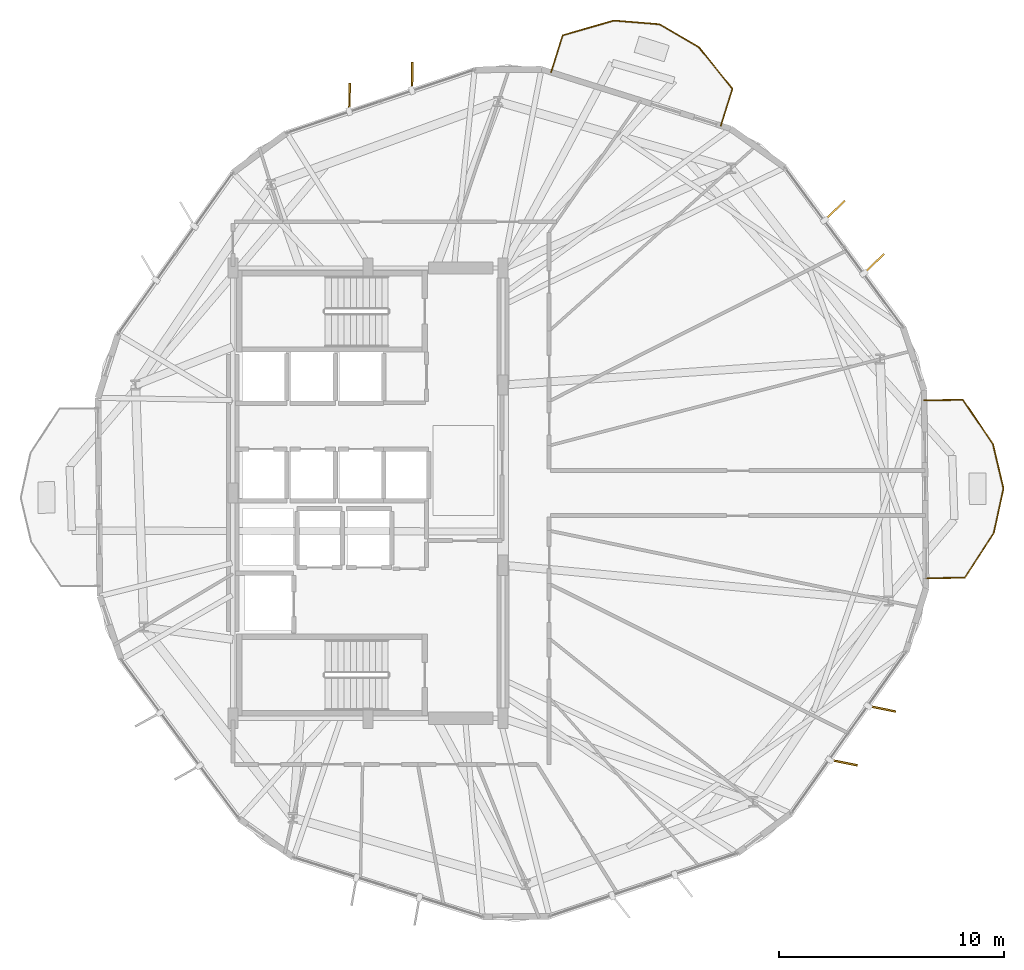
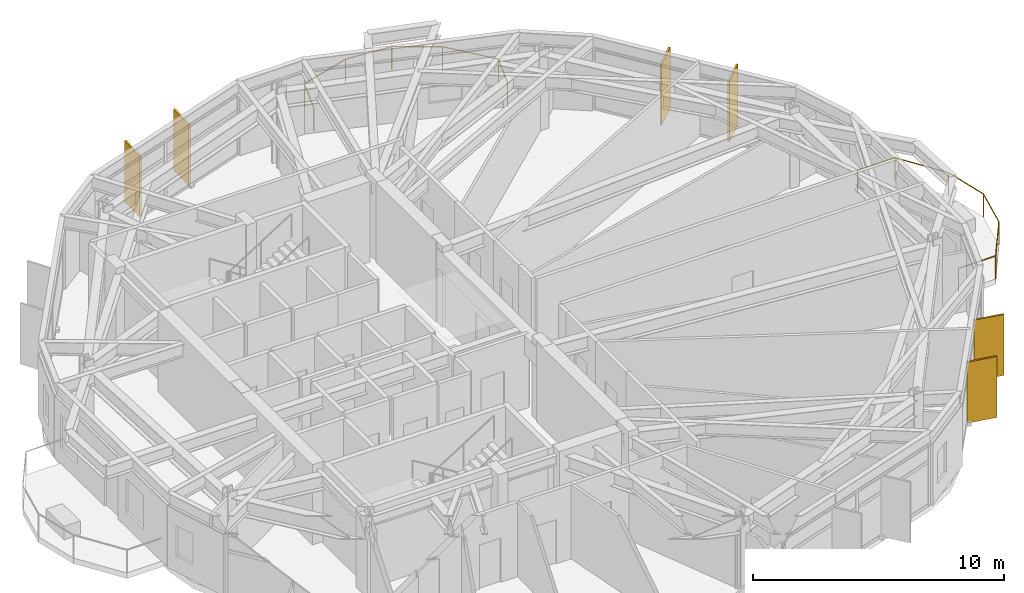
# One storey, part 27 of 27: 6 shading devices, 2 railings.
"""IFC4 building model written with IfcOpenShell, lengths in metres."""

from ifc_helpers import new_model, si_unit, direction, frame, origin, origin_2d, place, context, subcontext, project, spatial, rectangle, circle, extrude, material, layer, layer_set, type_object, element, save


model = new_model("IFC4")

# Units and contexts
model_context = context("Model", 3, precision=1e-05, world=origin(), true_north=direction((0.0, 1.0)))
body_context = subcontext(model_context, "Body", "Model", "MODEL_VIEW")
ifc_project = project(units=[si_unit("LENGTHUNIT", "METRE"), si_unit("AREAUNIT", "SQUARE_METRE"), si_unit("VOLUMEUNIT", "CUBIC_METRE"), si_unit("PLANEANGLEUNIT", "RADIAN"), si_unit("MASSUNIT", "GRAM", prefix="KILO")], contexts=[model_context])

# Site, building, storey
site_placement = place(None, origin())
site = spatial("IfcSite", under=ifc_project, at=site_placement, CompositionType="ELEMENT")
building_placement = place(site_placement, origin())
building = spatial("IfcBuilding", under=site, at=building_placement, Name="Soratama Intermodal Tower", CompositionType="ELEMENT")
storey_placement = place(building_placement, frame((0.0, 0.0, 103.0)))
storey = spatial("IfcBuildingStorey", under=building, at=storey_placement, Name="L24", CompositionType="ELEMENT", Elevation=103.0)

# Railings
ifc_material_1 = material(Name="Laminated glass and stainless steel balustrade", Category="steel")
railing_type = type_object("IfcRailingType", Name="RL-BAL-1150", PredefinedType="BALUSTRADE", material=ifc_material_1)
railing_1_placement = place(storey_placement, frame((63.313720703125, 29.1259765625, 0.0)))
element("IfcRailing", 1, at=railing_1_placement, inside=storey, type_object=railing_type, Name="L24 Balcony Balustrade 1", PredefinedType="BALUSTRADE", context=body_context, shape_type="SweptSolid", body=[
    extrude(circle(Radius=0.02392578125, at=origin_2d()), frame((0.0, 0.0, 1.1259765625), z_axis=(0.999956119932, 0.009367935261, 0.0), x_axis=(-0.009367935261, 0.999956119932, 0.0)), (0.0, 0.0, 1.0), 1.719970703125),
    extrude(circle(Radius=0.02392578125, at=origin_2d()), frame((1.719970703125, 0.01611328125, 1.1259765625), z_axis=(0.560577271613, -0.828102120846, 0.0), x_axis=(0.828102120846, 0.560577271613, 0.0)), (0.0, 0.0, 1.0), 2.371826171875),
    extrude(circle(Radius=0.02392578125, at=origin_2d()), frame((3.049560546875, -1.947998046875, 1.1259765625), z_axis=(0.230670480174, -0.973031926288, 0.0), x_axis=(0.973031926288, 0.230670480174, 0.0)), (0.0, 0.0, 1.0), 2.02685546875),
    extrude(circle(Radius=0.02392578125, at=origin_2d()), frame((3.51708984375, -3.920166015625, 1.1259765625), z_axis=(-0.21234963491, -0.977193753845, 0.0), x_axis=(0.977193753845, -0.21234963491, 0.0)), (0.0, 0.0, 1.0), 2.02685546875),
    extrude(circle(Radius=0.02392578125, at=origin_2d()), frame((3.086669921875, -5.90087890625, 1.1259765625), z_axis=(-0.544731440052, -0.838610552174, 0.0), x_axis=(0.838610552174, -0.544731440052, 0.0)), (0.0, 0.0, 1.0), 2.371826171875),
    extrude(circle(Radius=0.02392578125, at=origin_2d()), frame((1.794677734375, -7.889892578125, 1.1259765625), z_axis=(-0.999956119932, -0.009367935261, 0.0), x_axis=(0.009367935261, -0.999956119932, 0.0)), (0.0, 0.0, 1.0), 1.719970703125),
    extrude(circle(Radius=0.02099609375, at=origin_2d()), origin(), (0.0, 0.0, 1.0), 1.101806640625),
    extrude(circle(Radius=0.02099609375, at=origin_2d()), frame((1.719970703125, 0.01611328125, 0.0)), (0.0, 0.0, 1.0), 1.101806640625),
    extrude(circle(Radius=0.02099609375, at=origin_2d()), frame((3.049560546875, -1.947998046875, 0.0)), (0.0, 0.0, 1.0), 1.101806640625),
    extrude(circle(Radius=0.02099609375, at=origin_2d()), frame((3.51708984375, -3.920166015625, 0.0)), (0.0, 0.0, 1.0), 1.101806640625),
    extrude(circle(Radius=0.02099609375, at=origin_2d()), frame((3.086669921875, -5.90087890625, 0.0)), (0.0, 0.0, 1.0), 1.101806640625),
    extrude(circle(Radius=0.02099609375, at=origin_2d()), frame((1.794677734375, -7.889892578125, 0.0)), (0.0, 0.0, 1.0), 1.101806640625),
    extrude(circle(Radius=0.02099609375, at=origin_2d()), frame((0.07470703125, -7.906005859375, 0.0)), (0.0, 0.0, 1.0), 1.101806640625),
])
railing_2_placement = place(storey_placement, frame((46.735107421875, 43.6923828125, 0.0)))
element("IfcRailing", 2, at=railing_2_placement, inside=storey, type_object=railing_type, Name="L24 Balcony Balustrade 2", PredefinedType="BALUSTRADE", context=body_context, shape_type="SweptSolid", body=[
    extrude(circle(Radius=0.02392578125, at=origin_2d()), frame((0.0, 0.0, 1.1259765625), z_axis=(0.300044337569, 0.953925256764, 0.0), x_axis=(-0.953925256764, 0.300044337569, 0.0)), (0.0, 0.0, 1.0), 1.72021484375),
    extrude(circle(Radius=0.02392578125, at=origin_2d()), frame((0.51611328125, 1.640869140625, 1.1259765625), z_axis=(0.960809883874, 0.277208165553, 0.0), x_axis=(-0.277208165553, 0.960809883874, 0.0)), (0.0, 0.0, 1.0), 2.371826171875),
    extrude(circle(Radius=0.02392578125, at=origin_2d()), frame((2.794921875, 2.29833984375, 1.1259765625), z_axis=(0.996689597233, -0.081300964125, 0.0), x_axis=(0.081300964125, 0.996689597233, 0.0)), (0.0, 0.0, 1.0), 2.02685546875),
    extrude(circle(Radius=0.02392578125, at=origin_2d()), frame((4.815185546875, 2.133544921875, 1.1259765625), z_axis=(0.863813845877, -0.503811115073, 0.0), x_axis=(0.503811115073, 0.863813845877, 0.0)), (0.0, 0.0, 1.0), 2.027099609375),
    extrude(circle(Radius=0.02392578125, at=origin_2d()), frame((6.566162109375, 1.1123046875, 1.1259765625), z_axis=(0.629103472699, -0.777321568361, 0.0), x_axis=(0.777321568361, 0.629103472699, 0.0)), (0.0, 0.0, 1.0), 2.371826171875),
    extrude(circle(Radius=0.02392578125, at=origin_2d()), frame((8.058349609375, -0.7314453125, 1.1259765625), z_axis=(-0.300084966568, -0.953912476509, 0.0), x_axis=(0.953912476509, -0.300084966568, 0.0)), (0.0, 0.0, 1.0), 1.719970703125),
    extrude(circle(Radius=0.02099609375, at=origin_2d()), origin(), (0.0, 0.0, 1.0), 1.101806640625),
    extrude(circle(Radius=0.02099609375, at=origin_2d()), frame((0.51611328125, 1.640869140625, 0.0)), (0.0, 0.0, 1.0), 1.101806640625),
    extrude(circle(Radius=0.02099609375, at=origin_2d()), frame((2.794921875, 2.29833984375, 0.0)), (0.0, 0.0, 1.0), 1.101806640625),
    extrude(circle(Radius=0.02099609375, at=origin_2d()), frame((4.815185546875, 2.133544921875, 0.0)), (0.0, 0.0, 1.0), 1.101806640625),
    extrude(circle(Radius=0.02099609375, at=origin_2d()), frame((6.566162109375, 1.1123046875, 0.0)), (0.0, 0.0, 1.0), 1.101806640625),
    extrude(circle(Radius=0.02099609375, at=origin_2d()), frame((8.058349609375, -0.7314453125, 0.0)), (0.0, 0.0, 1.0), 1.101806640625),
    extrude(circle(Radius=0.02099609375, at=origin_2d()), frame((7.542236328125, -2.3720703125, 0.0)), (0.0, 0.0, 1.0), 1.101806640625),
])

# Shading devices
ifc_material_2 = material(Name="Champagne anodised aluminium solar fin", Category="aluminium")
ifc_layer = layer(ifc_material_2, 0.080078125)
ifc_layer_set = layer_set([ifc_layer], Name="Champagne anodised aluminium solar fin")
shading_device_type = type_object("IfcShadingDeviceType", Name="SH-FIN-1250", PredefinedType="USERDEFINED", material=ifc_layer_set)
for number, where, z_axis, x_axis, name in (
    (3, (61.082763671875, 35.19482421875, 0.02001953125), (0.0, 0.0, 1.0), (0.71982458803, 0.694156007298, 0.0), "L24 Solar Fin F01-1"),
    (4, (59.335205078125, 37.553466796875, 0.02001953125), (0.0, 0.0, 1.0), (0.71982458803, 0.694156007298, 0.0), "L24 Solar Fin F01-2"),
    (5, (40.566162109375, 43.510986328125, 0.02001953125), (0.0, 0.0, 1.0), (0.015358293575, 0.999882054454, 0.0), "L24 Solar Fin F03-1"),
    (6, (37.783203125, 42.57763671875, 0.02001953125), (0.0, 0.0, 1.0), (0.015358293575, 0.999882054454, 0.0), "L24 Solar Fin F03-2"),
    (7, (59.728515625, 13.02978515625, 0.02001953125), (0.0, 0.0, 1.0), (0.980063650883, -0.198683769387, 0.0), "L24 Solar Fin F09-1"),
    (8, (61.431640625, 15.4208984375, 0.02001953125), (0.0, 0.0, 1.0), (0.980063650883, -0.198683769387, 0.0), "L24 Solar Fin F09-2"),
):
    element("IfcShadingDevice", number, at=place(storey_placement, frame(where, z_axis=z_axis, x_axis=x_axis)), inside=storey, type_object=shading_device_type, Name=name, ObjectType="FIN", PredefinedType="USERDEFINED", context=body_context, shape_type="SweptSolid", body=[
        extrude(rectangle(XDim=1.25, YDim=0.080078125, at=origin_2d()), origin(), (0.0, 0.0, 1.0), 2.958984375),
    ])

save(model, "model.ifc")
